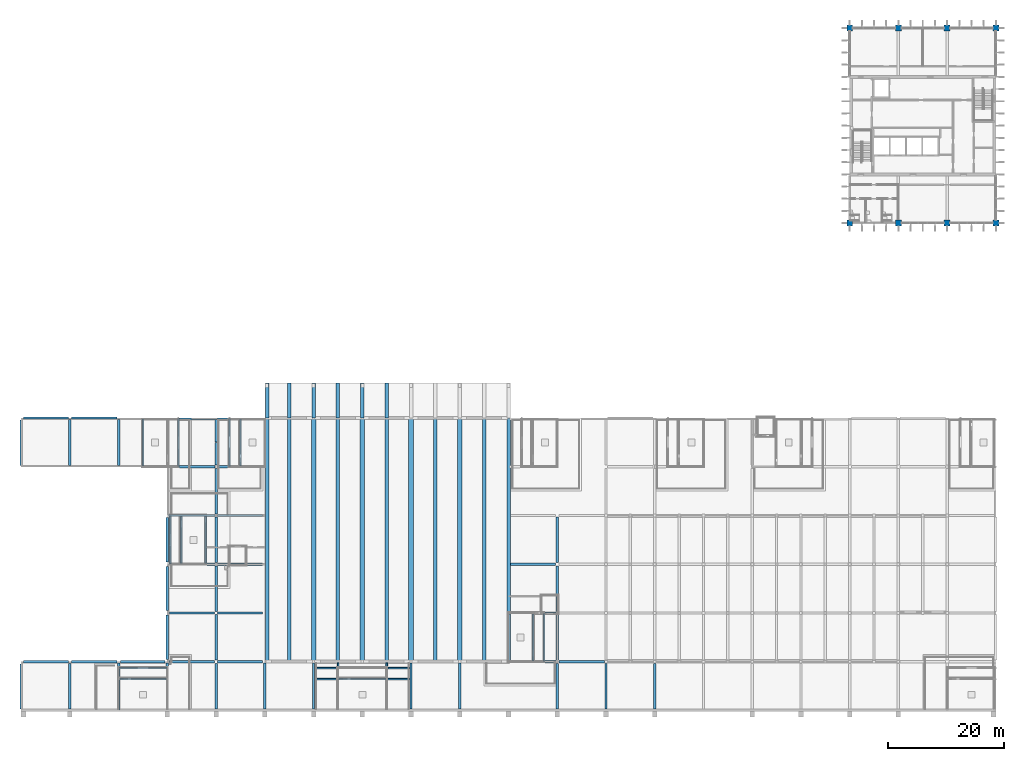
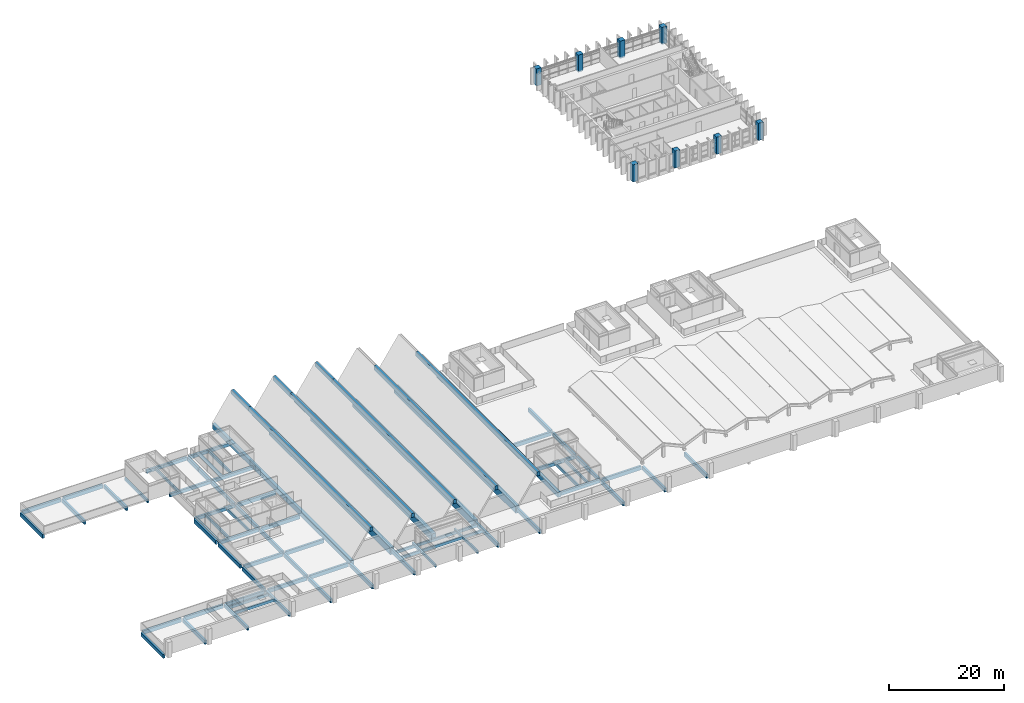
# One storey, part 1 of 24: 82 beams, 8 columns.
"""IFC4 building model written with IfcOpenShell, lengths in metres."""

from ifc_helpers import new_model, si_unit, direction, frame, origin, origin_2d, place, context, subcontext, project, spatial, rectangle, extrude, material, material_profile, profile_set, type_object, element, save


model = new_model("IFC4")

# Units and contexts
model_context = context("Model", 3, precision=1e-05, world=origin(), true_north=direction((0.0, 1.0)))
body_context = subcontext(model_context, "Body", "Model", "MODEL_VIEW")
ifc_project = project(units=[si_unit("LENGTHUNIT", "METRE"), si_unit("AREAUNIT", "SQUARE_METRE"), si_unit("VOLUMEUNIT", "CUBIC_METRE"), si_unit("PLANEANGLEUNIT", "RADIAN"), si_unit("MASSUNIT", "GRAM", prefix="KILO")], contexts=[model_context])

# Site, building, storey
site_placement = place(None, origin())
site = spatial("IfcSite", under=ifc_project, at=site_placement, CompositionType="ELEMENT")
building_placement = place(site_placement, origin())
building = spatial("IfcBuilding", under=site, at=building_placement, Name="Rulbaag Community and Learning Centre", CompositionType="ELEMENT")
storey_placement = place(building_placement, frame((0.0, 0.0, 14.39990234375)))
storey = spatial("IfcBuildingStorey", under=building, at=storey_placement, Name="L03", CompositionType="ELEMENT", Elevation=14.39990234375)

# Columns
ifc_material_1 = material(Name="Concrete M60", Category="concrete")
ifc_material_profile_1 = material_profile(ifc_material_1, rectangle(XDim=1.0, YDim=1.0, at=origin_2d()), Name="RC1000x1000")
ifc_profile_set_1 = profile_set([ifc_material_profile_1], Name="Concrete M60")
column_type = type_object("IfcColumnType", Name="C10 Column 1000x1000 Concrete M60", PredefinedType="COLUMN", material=ifc_profile_set_1)
for number, where, z_axis, x_axis, name in (
    (1, (142.800048828125, 84.0, -0.2998046875), (0.0, 0.0, 1.0), (1.0, 0.0, 0.0), "COL-18K-L03"),
    (2, (142.800048828125, 117.60009765625, -0.2998046875), (0.0, 0.0, 1.0), (1.0, 0.0, 0.0), "COL-18O-L03"),
    (3, (151.199951171875, 84.0, -0.2998046875), (0.0, 0.0, 1.0), (1.0, 0.0, 0.0), "COL-19K-L03"),
    (4, (151.199951171875, 117.60009765625, -0.2998046875), (0.0, 0.0, 1.0), (1.0, 0.0, 0.0), "COL-19O-L03"),
    (5, (159.60009765625, 84.0, -0.2998046875), (0.0, 0.0, 1.0), (1.0, 0.0, 0.0), "COL-20K-L03"),
    (6, (159.60009765625, 117.60009765625, -0.2998046875), (0.0, 0.0, 1.0), (1.0, 0.0, 0.0), "COL-20O-L03"),
    (7, (168.0, 84.0, -0.2998046875), (0.0, 0.0, 1.0), (1.0, 0.0, 0.0), "COL-21K-L03"),
    (8, (168.0, 117.60009765625, -0.2998046875), (0.0, 0.0, 1.0), (1.0, 0.0, 0.0), "COL-21O-L03"),
):
    element("IfcColumn", number, at=place(storey_placement, frame(where, z_axis=z_axis, x_axis=x_axis)), inside=storey, type_object=column_type, Name=name, PredefinedType="COLUMN", context=body_context, shape_type="SweptSolid", body=[
        extrude(rectangle(XDim=1.0, YDim=1.0, at=origin_2d()), origin(), (0.0, 0.0, 1.0), 3.64990234375),
    ])

# Beams
ifc_material_profile_2 = material_profile(ifc_material_1, rectangle(XDim=0.60009765625, YDim=1.10009765625, at=origin_2d()), Name="RB600x1100")
ifc_profile_set_2 = profile_set([ifc_material_profile_2], Name="Concrete M60")
beam_type_1 = type_object("IfcBeamType", Name="B1 Post-tensioned edge valley beam 600x1100 Concrete M60", PredefinedType="BEAM", material=ifc_profile_set_2)
for number, where, z_axis, x_axis, name in (
    (9, (42.39990234375, 8.14990234375, -0.5498046875), (0.0, 1.0, 0.0), (-1.0, 0.0, 0.0), "BM-FV-M1"),
    (10, (84.0, 8.14990234375, -0.5498046875), (0.0, 1.0, 0.0), (-1.0, 0.0, 0.0), "BM-FV-M6"),
):
    element("IfcBeam", number, at=place(storey_placement, frame(where, z_axis=z_axis, x_axis=x_axis)), inside=storey, type_object=beam_type_1, Name=name, PredefinedType="BEAM", context=body_context, shape_type="SweptSolid", body=[
        extrude(rectangle(XDim=0.60009765625, YDim=1.10009765625, at=origin_2d()), origin(), (0.0, 0.0, 1.0), 42.25),
    ])
ifc_material_2 = material(Name="Concrete M40", Category="concrete")
ifc_material_profile_3 = material_profile(ifc_material_2, rectangle(XDim=0.60009765625, YDim=0.85009765625, at=origin_2d()), Name="RB600x850")
ifc_profile_set_3 = profile_set([ifc_material_profile_3], Name="Concrete M40")
beam_type_2 = type_object("IfcBeamType", Name="B2 Ridge beam 600x850 Concrete M40", PredefinedType="BEAM", material=ifc_profile_set_3)
for number, where, z_axis, x_axis, name in (
    (11, (46.199951171875, 8.14990234375, 5.332275390625), (0.0, 1.0, 0.0), (-1.0, 0.0, 0.0), "BM-FR-M1"),
    (12, (54.60009765625, 8.14990234375, 5.332275390625), (0.0, 1.0, 0.0), (-1.0, 0.0, 0.0), "BM-FR-M2"),
    (13, (63.0, 8.14990234375, 5.332275390625), (0.0, 1.0, 0.0), (-1.0, 0.0, 0.0), "BM-FR-M3"),
    (14, (71.39990234375, 8.14990234375, 5.332275390625), (0.0, 1.0, 0.0), (-1.0, 0.0, 0.0), "BM-FR-M4"),
    (15, (79.800048828125, 8.14990234375, 5.332275390625), (0.0, 1.0, 0.0), (-1.0, 0.0, 0.0), "BM-FR-M5"),
):
    element("IfcBeam", number, at=place(storey_placement, frame(where, z_axis=z_axis, x_axis=x_axis)), inside=storey, type_object=beam_type_2, Name=name, PredefinedType="BEAM", context=body_context, shape_type="SweptSolid", body=[
        extrude(rectangle(XDim=0.60009765625, YDim=0.85009765625, at=origin_2d()), origin(), (0.0, 0.0, 1.0), 42.25),
    ])
ifc_material_profile_4 = material_profile(ifc_material_2, rectangle(XDim=0.39990234375, YDim=0.800048828125, at=origin_2d()), Name="RB400x800")
ifc_profile_set_4 = profile_set([ifc_material_profile_4], Name="Concrete M40")
beam_type_3 = type_object("IfcBeamType", Name="B27 Movement joint cantilever beam 400x800 Concrete M40", PredefinedType="BEAM", material=ifc_profile_set_4)
for number, where, z_axis, x_axis, name in (
    (16, (33.60009765625, 42.280029296875, -0.699951171875), (0.0, 1.0, 0.0), (-1.0, 0.0, 0.0), "BM-L03-5F-5G-A"),
    (17, (33.60009765625, 46.22509765625, -0.699951171875), (0.0, 1.0, 0.0), (-1.0, 0.0, 0.0), "BM-L03-5F-5G-B"),
):
    element("IfcBeam", number, at=place(storey_placement, frame(where, z_axis=z_axis, x_axis=x_axis)), inside=storey, type_object=beam_type_3, Name=name, PredefinedType="BEAM", context=body_context, shape_type="SweptSolid", body=[
        extrude(rectangle(XDim=0.39990234375, YDim=0.800048828125, at=origin_2d()), origin(), (0.0, 0.0, 1.0), 3.89501953125),
    ])
ifc_material_profile_5 = material_profile(ifc_material_1, rectangle(XDim=0.60009765625, YDim=1.10009765625, at=origin_2d()), Name="RB600x1100")
ifc_profile_set_5 = profile_set([ifc_material_profile_5], Name="Concrete M60")
beam_type_4 = type_object("IfcBeamType", Name="B3 Canopy valley cantilever beam 600x1100 Concrete M60", PredefinedType="BEAM", material=ifc_profile_set_5)
for number, where, z_axis, x_axis, name in (
    (18, (42.39990234375, 50.39990234375, -0.5498046875), (0.0, 1.0, 0.0), (-1.0, 0.0, 0.0), "BM-FV-M1-C"),
    (19, (50.39990234375, 50.39990234375, -0.5498046875), (0.0, 1.0, 0.0), (-1.0, 0.0, 0.0), "BM-FV-M2-C"),
    (20, (58.800048828125, 50.39990234375, -0.5498046875), (0.0, 1.0, 0.0), (-1.0, 0.0, 0.0), "BM-FV-M3-C"),
):
    element("IfcBeam", number, at=place(storey_placement, frame(where, z_axis=z_axis, x_axis=x_axis)), inside=storey, type_object=beam_type_4, Name=name, PredefinedType="BEAM", context=body_context, shape_type="SweptSolid", body=[
        extrude(rectangle(XDim=0.60009765625, YDim=1.10009765625, at=origin_2d()), origin(), (0.0, 0.0, 1.0), 6.0),
    ])
ifc_material_profile_6 = material_profile(ifc_material_2, rectangle(XDim=0.300048828125, YDim=0.60009765625, at=origin_2d()), Name="RB300x600")
ifc_profile_set_6 = profile_set([ifc_material_profile_6], Name="Concrete M40")
beam_type_5 = type_object("IfcBeamType", Name="B31 Trimmer beam 300x600 Concrete M40", PredefinedType="BEAM", material=ifc_profile_set_6)
beam_1_placement = place(storey_placement, frame((21.0, 42.199951171875, -0.599853515625), z_axis=(0.0, 1.0, 0.0), x_axis=(-1.0, 0.0, 0.0)))
element("IfcBeam", 21, at=beam_1_placement, inside=storey, type_object=beam_type_5, Name="BM-TR-SH0-W", PredefinedType="BEAM", context=body_context, shape_type="SweptSolid", body=[
    extrude(rectangle(XDim=0.300048828125, YDim=0.60009765625, at=origin_2d()), origin(), (0.0, 0.0, 1.0), 8.0),
])
beam_2_placement = place(storey_placement, frame((27.10009765625, 42.10009765625, -0.599853515625), z_axis=(0.0, 1.0, 0.0), x_axis=(-1.0, 0.0, 0.0)))
element("IfcBeam", 22, at=beam_2_placement, inside=storey, type_object=beam_type_5, Name="BM-LB-SH0-O", PredefinedType="BEAM", context=body_context, shape_type="SweptSolid", body=[
    extrude(rectangle(XDim=0.300048828125, YDim=0.60009765625, at=origin_2d()), origin(), (0.0, 0.0, 1.0), 8.199951171875),
])
for number, where, z_axis, x_axis, name in (
    (23, (27.60009765625, 25.39990234375, -0.599853515625), (0.0, 1.0, 0.0), (-1.0, 0.0, 0.0), "BM-TR-SH1-W"),
    (24, (31.800048828125, 25.39990234375, -0.599853515625), (0.0, 1.0, 0.0), (-1.0, 0.0, 0.0), "BM-TR-SH1-E"),
):
    element("IfcBeam", number, at=place(storey_placement, frame(where, z_axis=z_axis, x_axis=x_axis)), inside=storey, type_object=beam_type_5, Name=name, PredefinedType="BEAM", context=body_context, shape_type="SweptSolid", body=[
        extrude(rectangle(XDim=0.300048828125, YDim=0.60009765625, at=origin_2d()), origin(), (0.0, 0.0, 1.0), 8.0),
    ])
beam_3_placement = place(storey_placement, frame((25.699951171875, 25.300048828125, -0.599853515625), z_axis=(0.0, 1.0, 0.0), x_axis=(-1.0, 0.0, 0.0)))
element("IfcBeam", 25, at=beam_3_placement, inside=storey, type_object=beam_type_5, Name="BM-LB-SH1-O", PredefinedType="BEAM", context=body_context, shape_type="SweptSolid", body=[
    extrude(rectangle(XDim=0.300048828125, YDim=0.60009765625, at=origin_2d()), origin(), (0.0, 0.0, 1.0), 8.199951171875),
])
beam_4_placement = place(storey_placement, frame((88.199951171875, 8.60009765625, -0.599853515625), z_axis=(0.0, 1.0, 0.0), x_axis=(-1.0, 0.0, 0.0)))
element("IfcBeam", 26, at=beam_4_placement, inside=storey, type_object=beam_type_5, Name="BM-TR-SH2-E", PredefinedType="BEAM", context=body_context, shape_type="SweptSolid", body=[
    extrude(rectangle(XDim=0.300048828125, YDim=0.60009765625, at=origin_2d()), origin(), (0.0, 0.0, 1.0), 8.0),
])
beam_5_placement = place(storey_placement, frame((90.10009765625, 8.5, -0.599853515625), z_axis=(0.0, 1.0, 0.0), x_axis=(-1.0, 0.0, 0.0)))
element("IfcBeam", 27, at=beam_5_placement, inside=storey, type_object=beam_type_5, Name="BM-LB-SH2-O", PredefinedType="BEAM", context=body_context, shape_type="SweptSolid", body=[
    extrude(rectangle(XDim=0.300048828125, YDim=0.60009765625, at=origin_2d()), origin(), (0.0, 0.0, 1.0), 8.199951171875),
])
beam_6_placement = place(storey_placement, frame((37.800048828125, 42.199951171875, -0.599853515625), z_axis=(0.0, 1.0, 0.0), x_axis=(-1.0, 0.0, 0.0)))
element("IfcBeam", 28, at=beam_6_placement, inside=storey, type_object=beam_type_5, Name="BM-TR-SH5-W", PredefinedType="BEAM", context=body_context, shape_type="SweptSolid", body=[
    extrude(rectangle(XDim=0.300048828125, YDim=0.60009765625, at=origin_2d()), origin(), (0.0, 0.0, 1.0), 8.0),
])
beam_7_placement = place(storey_placement, frame((35.89990234375, 42.10009765625, -0.599853515625), z_axis=(0.0, 1.0, 0.0), x_axis=(-1.0, 0.0, 0.0)))
element("IfcBeam", 29, at=beam_7_placement, inside=storey, type_object=beam_type_5, Name="BM-LB-SH5-O", PredefinedType="BEAM", context=body_context, shape_type="SweptSolid", body=[
    extrude(rectangle(XDim=0.300048828125, YDim=0.60009765625, at=origin_2d()), origin(), (0.0, 0.0, 1.0), 8.199951171875),
])
for number, where, z_axis, x_axis, name in (
    (30, (54.60009765625, 0.199951171875, -0.599853515625), (0.0, 1.0, 0.0), (-1.0, 0.0, 0.0), "BM-TR-SH8-W"),
    (31, (63.0, 0.199951171875, -0.599853515625), (0.0, 1.0, 0.0), (-1.0, 0.0, 0.0), "BM-TR-SH8-E"),
):
    element("IfcBeam", number, at=place(storey_placement, frame(where, z_axis=z_axis, x_axis=x_axis)), inside=storey, type_object=beam_type_5, Name=name, PredefinedType="BEAM", context=body_context, shape_type="SweptSolid", body=[
        extrude(rectangle(XDim=0.300048828125, YDim=0.60009765625, at=origin_2d()), origin(), (0.0, 0.0, 1.0), 8.0),
    ])
beam_8_placement = place(storey_placement, frame((50.60009765625, 5.39990234375, -0.599853515625), z_axis=(1.0, 0.0, 0.0), x_axis=(0.0, 1.0, 0.0)))
element("IfcBeam", 32, at=beam_8_placement, inside=storey, type_object=beam_type_5, Name="BM-TR-SH8-N1", PredefinedType="BEAM", context=body_context, shape_type="SweptSolid", body=[
    extrude(rectangle(XDim=0.300048828125, YDim=0.60009765625, at=origin_2d()), origin(), (0.0, 0.0, 1.0), 3.849853515625),
])
beam_9_placement = place(storey_placement, frame((54.75, 5.39990234375, -0.599853515625), z_axis=(1.0, 0.0, 0.0), x_axis=(0.0, 1.0, 0.0)))
element("IfcBeam", 33, at=beam_9_placement, inside=storey, type_object=beam_type_5, Name="BM-TR-SH8-N2", PredefinedType="BEAM", context=body_context, shape_type="SweptSolid", body=[
    extrude(rectangle(XDim=0.300048828125, YDim=0.60009765625, at=origin_2d()), origin(), (0.0, 0.0, 1.0), 8.10009765625),
])
beam_10_placement = place(storey_placement, frame((63.14990234375, 5.39990234375, -0.599853515625), z_axis=(1.0, 0.0, 0.0), x_axis=(0.0, 1.0, 0.0)))
element("IfcBeam", 34, at=beam_10_placement, inside=storey, type_object=beam_type_5, Name="BM-TR-SH8-N3", PredefinedType="BEAM", context=body_context, shape_type="SweptSolid", body=[
    extrude(rectangle(XDim=0.300048828125, YDim=0.60009765625, at=origin_2d()), origin(), (0.0, 0.0, 1.0), 3.85009765625),
])
beam_11_placement = place(storey_placement, frame((50.5, 7.300048828125, -0.599853515625), z_axis=(1.0, 0.0, 0.0), x_axis=(0.0, 1.0, 0.0)))
element("IfcBeam", 35, at=beam_11_placement, inside=storey, type_object=beam_type_5, Name="BM-LB-SH8-O", PredefinedType="BEAM", context=body_context, shape_type="SweptSolid", body=[
    extrude(rectangle(XDim=0.300048828125, YDim=0.60009765625, at=origin_2d()), origin(), (0.0, 0.0, 1.0), 16.60009765625),
])
beam_12_placement = place(storey_placement, frame((17.0, 5.39990234375, -0.599853515625), z_axis=(1.0, 0.0, 0.0), x_axis=(0.0, 1.0, 0.0)))
element("IfcBeam", 36, at=beam_12_placement, inside=storey, type_object=beam_type_5, Name="BM-TR-SH9-N1", PredefinedType="BEAM", context=body_context, shape_type="SweptSolid", body=[
    extrude(rectangle(XDim=0.300048828125, YDim=0.60009765625, at=origin_2d()), origin(), (0.0, 0.0, 1.0), 8.0),
])
beam_13_placement = place(storey_placement, frame((16.89990234375, 7.300048828125, -0.599853515625), z_axis=(1.0, 0.0, 0.0), x_axis=(0.0, 1.0, 0.0)))
element("IfcBeam", 37, at=beam_13_placement, inside=storey, type_object=beam_type_5, Name="BM-LB-SH9-O", PredefinedType="BEAM", context=body_context, shape_type="SweptSolid", body=[
    extrude(rectangle(XDim=0.300048828125, YDim=0.60009765625, at=origin_2d()), origin(), (0.0, 0.0, 1.0), 8.2001953125),
])
ifc_material_profile_7 = material_profile(ifc_material_1, rectangle(XDim=0.800048828125, YDim=1.5, at=origin_2d()), Name="RB800x1500")
ifc_profile_set_7 = profile_set([ifc_material_profile_7], Name="Concrete M60")
beam_type_6 = type_object("IfcBeamType", Name="B32 Post-tensioned valley beam 800x1500 Concrete M60", PredefinedType="BEAM", material=ifc_profile_set_7)
for number, where, z_axis, x_axis, name in (
    (38, (50.39990234375, 8.14990234375, -0.75), (0.0, 1.0, 0.0), (-1.0, 0.0, 0.0), "BM-FV-M2"),
    (39, (58.800048828125, 8.14990234375, -0.75), (0.0, 1.0, 0.0), (-1.0, 0.0, 0.0), "BM-FV-M3"),
    (40, (67.199951171875, 8.14990234375, -0.75), (0.0, 1.0, 0.0), (-1.0, 0.0, 0.0), "BM-FV-M4"),
    (41, (75.60009765625, 8.14990234375, -0.75), (0.0, 1.0, 0.0), (-1.0, 0.0, 0.0), "BM-FV-M5"),
):
    element("IfcBeam", number, at=place(storey_placement, frame(where, z_axis=z_axis, x_axis=x_axis)), inside=storey, type_object=beam_type_6, Name=name, PredefinedType="BEAM", context=body_context, shape_type="SweptSolid", body=[
        extrude(rectangle(XDim=0.800048828125, YDim=1.5, at=origin_2d()), origin(), (0.0, 0.0, 1.0), 42.25),
    ])
ifc_material_profile_8 = material_profile(ifc_material_2, rectangle(XDim=0.39990234375, YDim=0.699951171875, at=origin_2d()), Name="RB400x700")
ifc_profile_set_8 = profile_set([ifc_material_profile_8], Name="Concrete M40")
beam_type_7 = type_object("IfcBeamType", Name="B34 Lobby girder 400x700 Concrete M40", PredefinedType="BEAM", material=ifc_profile_set_8)
beam_14_placement = place(storey_placement, frame((25.199951171875, 42.0, -0.599853515625), z_axis=(1.0, 0.0, 0.0), x_axis=(0.0, 1.0, 0.0)))
element("IfcBeam", 42, at=beam_14_placement, inside=storey, type_object=beam_type_7, Name="BM-LBG-SH0-420", PredefinedType="BEAM", context=body_context, shape_type="SweptSolid", body=[
    extrude(rectangle(XDim=0.39990234375, YDim=0.699951171875, at=origin_2d()), origin(), (0.0, 0.0, 1.0), 8.199951171875),
])
beam_15_placement = place(storey_placement, frame((25.25, 50.22509765625, -0.599853515625), z_axis=(1.0, 0.0, 0.0), x_axis=(0.0, 1.0, 0.0)))
element("IfcBeam", 43, at=beam_15_placement, inside=storey, type_object=beam_type_7, Name="BM-LBG-SH0-504", PredefinedType="BEAM", context=body_context, shape_type="SweptSolid", body=[
    extrude(rectangle(XDim=0.39990234375, YDim=0.699951171875, at=origin_2d()), origin(), (0.0, 0.0, 1.0), 8.14990234375),
])
for number, where, z_axis, x_axis, name in (
    (44, (25.39990234375, 25.199951171875, -0.599853515625), (1.0, 0.0, 0.0), (0.0, 1.0, 0.0), "BM-LBG-SH1-252"),
    (45, (25.39990234375, 33.60009765625, -0.599853515625), (1.0, 0.0, 0.0), (0.0, 1.0, 0.0), "BM-LBG-SH1-336"),
):
    element("IfcBeam", number, at=place(storey_placement, frame(where, z_axis=z_axis, x_axis=x_axis)), inside=storey, type_object=beam_type_7, Name=name, PredefinedType="BEAM", context=body_context, shape_type="SweptSolid", body=[
        extrude(rectangle(XDim=0.39990234375, YDim=0.699951171875, at=origin_2d()), origin(), (0.0, 0.0, 1.0), 8.0),
    ])
beam_16_placement = place(storey_placement, frame((84.0, 8.39990234375, -0.599853515625), z_axis=(1.0, 0.0, 0.0), x_axis=(0.0, 1.0, 0.0)))
element("IfcBeam", 46, at=beam_16_placement, inside=storey, type_object=beam_type_7, Name="BM-LBG-SH2-84", PredefinedType="BEAM", context=body_context, shape_type="SweptSolid", body=[
    extrude(rectangle(XDim=0.39990234375, YDim=0.699951171875, at=origin_2d()), origin(), (0.0, 0.0, 1.0), 8.199951171875),
])
for number, where, z_axis, x_axis, name in (
    (47, (84.050048828125, 16.800048828125, -0.599853515625), (1.0, 0.0, 0.0), (0.0, 1.0, 0.0), "BM-LBG-SH2-168"),
    (48, (33.800048828125, 42.0, -0.599853515625), (1.0, 0.0, 0.0), (0.0, 1.0, 0.0), "BM-LBG-SH5-420"),
):
    element("IfcBeam", number, at=place(storey_placement, frame(where, z_axis=z_axis, x_axis=x_axis)), inside=storey, type_object=beam_type_7, Name=name, PredefinedType="BEAM", context=body_context, shape_type="SweptSolid", body=[
        extrude(rectangle(XDim=0.39990234375, YDim=0.699951171875, at=origin_2d()), origin(), (0.0, 0.0, 1.0), 8.14990234375),
    ])
beam_17_placement = place(storey_placement, frame((33.800048828125, 50.22509765625, -0.599853515625), z_axis=(1.0, 0.0, 0.0), x_axis=(0.0, 1.0, 0.0)))
element("IfcBeam", 49, at=beam_17_placement, inside=storey, type_object=beam_type_7, Name="BM-LBG-SH5-504", PredefinedType="BEAM", context=body_context, shape_type="SweptSolid", body=[
    extrude(rectangle(XDim=0.39990234375, YDim=0.699951171875, at=origin_2d()), origin(), (0.0, 0.0, 1.0), 8.199951171875),
])
for number, where, z_axis, x_axis, name in (
    (50, (16.800048828125, 0.050048828125, -0.599853515625), (0.0, 1.0, 0.0), (-1.0, 0.0, 0.0), "BM-LBG-SH9-168"),
    (51, (25.199951171875, 0.050048828125, -0.599853515625), (0.0, 1.0, 0.0), (-1.0, 0.0, 0.0), "BM-LBG-SH9-252"),
):
    element("IfcBeam", number, at=place(storey_placement, frame(where, z_axis=z_axis, x_axis=x_axis)), inside=storey, type_object=beam_type_7, Name=name, PredefinedType="BEAM", context=body_context, shape_type="SweptSolid", body=[
        extrude(rectangle(XDim=0.39990234375, YDim=0.699951171875, at=origin_2d()), origin(), (0.0, 0.0, 1.0), 8.14990234375),
    ])
ifc_material_profile_9 = material_profile(ifc_material_2, rectangle(XDim=0.60009765625, YDim=0.85009765625, at=origin_2d()), Name="RB600x850")
ifc_profile_set_9 = profile_set([ifc_material_profile_9], Name="Concrete M40")
beam_type_8 = type_object("IfcBeamType", Name="B4 Canopy ridge cantilever beam 600x850 Concrete M40", PredefinedType="BEAM", material=ifc_profile_set_9)
for number, where, z_axis, x_axis, name in (
    (52, (46.199951171875, 50.39990234375, 5.332275390625), (0.0, 1.0, 0.0), (-1.0, 0.0, 0.0), "BM-FR-M1-C"),
    (53, (54.60009765625, 50.39990234375, 5.332275390625), (0.0, 1.0, 0.0), (-1.0, 0.0, 0.0), "BM-FR-M2-C"),
    (54, (63.0, 50.39990234375, 5.332275390625), (0.0, 1.0, 0.0), (-1.0, 0.0, 0.0), "BM-FR-M3-C"),
):
    element("IfcBeam", number, at=place(storey_placement, frame(where, z_axis=z_axis, x_axis=x_axis)), inside=storey, type_object=beam_type_8, Name=name, PredefinedType="BEAM", context=body_context, shape_type="SweptSolid", body=[
        extrude(rectangle(XDim=0.60009765625, YDim=0.85009765625, at=origin_2d()), origin(), (0.0, 0.0, 1.0), 6.0),
    ])
ifc_material_profile_10 = material_profile(ifc_material_2, rectangle(XDim=0.39990234375, YDim=0.800048828125, at=origin_2d()), Name="RB400x800")
ifc_profile_set_10 = profile_set([ifc_material_profile_10], Name="Concrete M40")
beam_type_9 = type_object("IfcBeamType", Name="B9 Terrace beam 400x800 Concrete M40", PredefinedType="BEAM", material=ifc_profile_set_10)
beam_18_placement = place(storey_placement, frame((0.0, 0.22509765625, -0.699951171875), z_axis=(0.0, 1.0, 0.0), x_axis=(-1.0, 0.0, 0.0)))
element("IfcBeam", 55, at=beam_18_placement, inside=storey, type_object=beam_type_9, Name="BM-L03-1A-1B", PredefinedType="BEAM", context=body_context, shape_type="SweptSolid", body=[
    extrude(rectangle(XDim=0.39990234375, YDim=0.800048828125, at=origin_2d()), origin(), (0.0, 0.0, 1.0), 7.794921875),
])
beam_19_placement = place(storey_placement, frame((0.3798828125, 8.39990234375, -0.699951171875), z_axis=(1.0, 0.0, 0.0), x_axis=(0.0, 1.0, 0.0)))
element("IfcBeam", 56, at=beam_19_placement, inside=storey, type_object=beam_type_9, Name="BM-L03-1B-2B", PredefinedType="BEAM", context=body_context, shape_type="SweptSolid", body=[
    extrude(rectangle(XDim=0.39990234375, YDim=0.800048828125, at=origin_2d()), origin(), (0.0, 0.0, 1.0), 7.740234375),
])
beam_20_placement = place(storey_placement, frame((0.0, 42.25, -0.699951171875), z_axis=(0.0, 1.0, 0.0), x_axis=(-1.0, 0.0, 0.0)))
element("IfcBeam", 57, at=beam_20_placement, inside=storey, type_object=beam_type_9, Name="BM-L03-1F-1G", PredefinedType="BEAM", context=body_context, shape_type="SweptSolid", body=[
    extrude(rectangle(XDim=0.39990234375, YDim=0.800048828125, at=origin_2d()), origin(), (0.0, 0.0, 1.0), 7.77001953125),
])
beam_21_placement = place(storey_placement, frame((0.3798828125, 50.39990234375, -0.699951171875), z_axis=(1.0, 0.0, 0.0), x_axis=(0.0, 1.0, 0.0)))
element("IfcBeam", 58, at=beam_21_placement, inside=storey, type_object=beam_type_9, Name="BM-L03-1G-2G", PredefinedType="BEAM", context=body_context, shape_type="SweptSolid", body=[
    extrude(rectangle(XDim=0.39990234375, YDim=0.800048828125, at=origin_2d()), origin(), (0.0, 0.0, 1.0), 7.740234375),
])
beam_22_placement = place(storey_placement, frame((8.39990234375, 0.22509765625, -0.699951171875), z_axis=(0.0, 1.0, 0.0), x_axis=(-1.0, 0.0, 0.0)))
element("IfcBeam", 59, at=beam_22_placement, inside=storey, type_object=beam_type_9, Name="BM-L03-2A-2B", PredefinedType="BEAM", context=body_context, shape_type="SweptSolid", body=[
    extrude(rectangle(XDim=0.39990234375, YDim=0.800048828125, at=origin_2d()), origin(), (0.0, 0.0, 1.0), 7.89501953125),
])
beam_23_placement = place(storey_placement, frame((8.679931640625, 8.39990234375, -0.699951171875), z_axis=(1.0, 0.0, 0.0), x_axis=(0.0, 1.0, 0.0)))
element("IfcBeam", 60, at=beam_23_placement, inside=storey, type_object=beam_type_9, Name="BM-L03-2B-3B", PredefinedType="BEAM", context=body_context, shape_type="SweptSolid", body=[
    extrude(rectangle(XDim=0.39990234375, YDim=0.800048828125, at=origin_2d()), origin(), (0.0, 0.0, 1.0), 7.840087890625),
])
beam_24_placement = place(storey_placement, frame((8.39990234375, 42.25, -0.699951171875), z_axis=(0.0, 1.0, 0.0), x_axis=(-1.0, 0.0, 0.0)))
element("IfcBeam", 61, at=beam_24_placement, inside=storey, type_object=beam_type_9, Name="BM-L03-2F-2G", PredefinedType="BEAM", context=body_context, shape_type="SweptSolid", body=[
    extrude(rectangle(XDim=0.39990234375, YDim=0.800048828125, at=origin_2d()), origin(), (0.0, 0.0, 1.0), 7.8701171875),
])
beam_25_placement = place(storey_placement, frame((8.679931640625, 50.39990234375, -0.699951171875), z_axis=(1.0, 0.0, 0.0), x_axis=(0.0, 1.0, 0.0)))
element("IfcBeam", 62, at=beam_25_placement, inside=storey, type_object=beam_type_9, Name="BM-L03-2G-3G", PredefinedType="BEAM", context=body_context, shape_type="SweptSolid", body=[
    extrude(rectangle(XDim=0.39990234375, YDim=0.800048828125, at=origin_2d()), origin(), (0.0, 0.0, 1.0), 7.840087890625),
])
beam_26_placement = place(storey_placement, frame((17.080078125, 8.39990234375, -0.699951171875), z_axis=(1.0, 0.0, 0.0), x_axis=(0.0, 1.0, 0.0)))
element("IfcBeam", 63, at=beam_26_placement, inside=storey, type_object=beam_type_9, Name="BM-L03-3B-4B", PredefinedType="BEAM", context=body_context, shape_type="SweptSolid", body=[
    extrude(rectangle(XDim=0.39990234375, YDim=0.800048828125, at=origin_2d()), origin(), (0.0, 0.0, 1.0), 7.739990234375),
])
beam_27_placement = place(storey_placement, frame((16.800048828125, 42.25, -0.699951171875), z_axis=(0.0, 1.0, 0.0), x_axis=(-1.0, 0.0, 0.0)))
element("IfcBeam", 64, at=beam_27_placement, inside=storey, type_object=beam_type_9, Name="BM-L03-3F-3G", PredefinedType="BEAM", context=body_context, shape_type="SweptSolid", body=[
    extrude(rectangle(XDim=0.39990234375, YDim=0.800048828125, at=origin_2d()), origin(), (0.0, 0.0, 1.0), 7.8701171875),
])
beam_28_placement = place(storey_placement, frame((25.580078125, 8.39990234375, -0.699951171875), z_axis=(1.0, 0.0, 0.0), x_axis=(0.0, 1.0, 0.0)))
element("IfcBeam", 65, at=beam_28_placement, inside=storey, type_object=beam_type_9, Name="BM-L03-4B-5B", PredefinedType="BEAM", context=body_context, shape_type="SweptSolid", body=[
    extrude(rectangle(XDim=0.39990234375, YDim=0.800048828125, at=origin_2d()), origin(), (0.0, 0.0, 1.0), 7.739990234375),
])
beam_29_placement = place(storey_placement, frame((25.199951171875, 8.780029296875, -0.699951171875), z_axis=(0.0, 1.0, 0.0), x_axis=(-1.0, 0.0, 0.0)))
element("IfcBeam", 66, at=beam_29_placement, inside=storey, type_object=beam_type_9, Name="BM-L03-4B-4C", PredefinedType="BEAM", context=body_context, shape_type="SweptSolid", body=[
    extrude(rectangle(XDim=0.39990234375, YDim=0.800048828125, at=origin_2d()), origin(), (0.0, 0.0, 1.0), 7.639892578125),
])
beam_30_placement = place(storey_placement, frame((25.580078125, 16.800048828125, -0.699951171875), z_axis=(1.0, 0.0, 0.0), x_axis=(0.0, 1.0, 0.0)))
element("IfcBeam", 67, at=beam_30_placement, inside=storey, type_object=beam_type_9, Name="BM-L03-4C-5C", PredefinedType="BEAM", context=body_context, shape_type="SweptSolid", body=[
    extrude(rectangle(XDim=0.39990234375, YDim=0.800048828125, at=origin_2d()), origin(), (0.0, 0.0, 1.0), 7.739990234375),
])
beam_31_placement = place(storey_placement, frame((25.199951171875, 17.179931640625, -0.699951171875), z_axis=(0.0, 1.0, 0.0), x_axis=(-1.0, 0.0, 0.0)))
element("IfcBeam", 68, at=beam_31_placement, inside=storey, type_object=beam_type_9, Name="BM-L03-4C-4D", PredefinedType="BEAM", context=body_context, shape_type="SweptSolid", body=[
    extrude(rectangle(XDim=0.39990234375, YDim=0.800048828125, at=origin_2d()), origin(), (0.0, 0.0, 1.0), 7.64013671875),
])
beam_32_placement = place(storey_placement, frame((25.199951171875, 25.580078125, -0.699951171875), z_axis=(0.0, 1.0, 0.0), x_axis=(-1.0, 0.0, 0.0)))
element("IfcBeam", 69, at=beam_32_placement, inside=storey, type_object=beam_type_9, Name="BM-L03-4D-4E", PredefinedType="BEAM", context=body_context, shape_type="SweptSolid", body=[
    extrude(rectangle(XDim=0.39990234375, YDim=0.800048828125, at=origin_2d()), origin(), (0.0, 0.0, 1.0), 7.639892578125),
])
beam_33_placement = place(storey_placement, frame((33.60009765625, 0.22509765625, -0.699951171875), z_axis=(0.0, 1.0, 0.0), x_axis=(-1.0, 0.0, 0.0)))
element("IfcBeam", 70, at=beam_33_placement, inside=storey, type_object=beam_type_9, Name="BM-L03-5A-5B", PredefinedType="BEAM", context=body_context, shape_type="SweptSolid", body=[
    extrude(rectangle(XDim=0.39990234375, YDim=0.800048828125, at=origin_2d()), origin(), (0.0, 0.0, 1.0), 7.89501953125),
])
beam_34_placement = place(storey_placement, frame((33.8798828125, 8.39990234375, -0.699951171875), z_axis=(1.0, 0.0, 0.0), x_axis=(0.0, 1.0, 0.0)))
element("IfcBeam", 71, at=beam_34_placement, inside=storey, type_object=beam_type_9, Name="BM-L03-5B-6B", PredefinedType="BEAM", context=body_context, shape_type="SweptSolid", body=[
    extrude(rectangle(XDim=0.39990234375, YDim=0.800048828125, at=origin_2d()), origin(), (0.0, 0.0, 1.0), 7.740234375),
])
beam_35_placement = place(storey_placement, frame((33.60009765625, 8.679931640625, -0.699951171875), z_axis=(0.0, 1.0, 0.0), x_axis=(-1.0, 0.0, 0.0)))
element("IfcBeam", 72, at=beam_35_placement, inside=storey, type_object=beam_type_9, Name="BM-L03-5B-5C", PredefinedType="BEAM", context=body_context, shape_type="SweptSolid", body=[
    extrude(rectangle(XDim=0.39990234375, YDim=0.800048828125, at=origin_2d()), origin(), (0.0, 0.0, 1.0), 7.840087890625),
])
beam_36_placement = place(storey_placement, frame((33.8798828125, 16.800048828125, -0.699951171875), z_axis=(1.0, 0.0, 0.0), x_axis=(0.0, 1.0, 0.0)))
element("IfcBeam", 73, at=beam_36_placement, inside=storey, type_object=beam_type_9, Name="BM-L03-5C-6C", PredefinedType="BEAM", context=body_context, shape_type="SweptSolid", body=[
    extrude(rectangle(XDim=0.39990234375, YDim=0.800048828125, at=origin_2d()), origin(), (0.0, 0.0, 1.0), 7.740234375),
])
beam_37_placement = place(storey_placement, frame((33.60009765625, 17.080078125, -0.699951171875), z_axis=(0.0, 1.0, 0.0), x_axis=(-1.0, 0.0, 0.0)))
element("IfcBeam", 74, at=beam_37_placement, inside=storey, type_object=beam_type_9, Name="BM-L03-5C-5D", PredefinedType="BEAM", context=body_context, shape_type="SweptSolid", body=[
    extrude(rectangle(XDim=0.39990234375, YDim=0.800048828125, at=origin_2d()), origin(), (0.0, 0.0, 1.0), 7.83984375),
])
beam_38_placement = place(storey_placement, frame((33.8798828125, 25.199951171875, -0.699951171875), z_axis=(1.0, 0.0, 0.0), x_axis=(0.0, 1.0, 0.0)))
element("IfcBeam", 75, at=beam_38_placement, inside=storey, type_object=beam_type_9, Name="BM-L03-5D-6D", PredefinedType="BEAM", context=body_context, shape_type="SweptSolid", body=[
    extrude(rectangle(XDim=0.39990234375, YDim=0.800048828125, at=origin_2d()), origin(), (0.0, 0.0, 1.0), 7.740234375),
])
beam_39_placement = place(storey_placement, frame((33.60009765625, 25.47998046875, -0.699951171875), z_axis=(0.0, 1.0, 0.0), x_axis=(-1.0, 0.0, 0.0)))
element("IfcBeam", 76, at=beam_39_placement, inside=storey, type_object=beam_type_9, Name="BM-L03-5D-5E", PredefinedType="BEAM", context=body_context, shape_type="SweptSolid", body=[
    extrude(rectangle(XDim=0.39990234375, YDim=0.800048828125, at=origin_2d()), origin(), (0.0, 0.0, 1.0), 7.840087890625),
])
beam_40_placement = place(storey_placement, frame((33.8798828125, 33.60009765625, -0.699951171875), z_axis=(1.0, 0.0, 0.0), x_axis=(0.0, 1.0, 0.0)))
element("IfcBeam", 77, at=beam_40_placement, inside=storey, type_object=beam_type_9, Name="BM-L03-5E-6E", PredefinedType="BEAM", context=body_context, shape_type="SweptSolid", body=[
    extrude(rectangle(XDim=0.39990234375, YDim=0.800048828125, at=origin_2d()), origin(), (0.0, 0.0, 1.0), 7.740234375),
])
beam_41_placement = place(storey_placement, frame((33.60009765625, 33.8798828125, -0.699951171875), z_axis=(0.0, 1.0, 0.0), x_axis=(-1.0, 0.0, 0.0)))
element("IfcBeam", 78, at=beam_41_placement, inside=storey, type_object=beam_type_9, Name="BM-L03-5E-5F", PredefinedType="BEAM", context=body_context, shape_type="SweptSolid", body=[
    extrude(rectangle(XDim=0.39990234375, YDim=0.800048828125, at=origin_2d()), origin(), (0.0, 0.0, 1.0), 7.840087890625),
])
for number, where, z_axis, x_axis, name in (
    (79, (42.0, 0.22509765625, -0.699951171875), (0.0, 1.0, 0.0), (-1.0, 0.0, 0.0), "BM-L03-6A-6B"),
    (80, (50.39990234375, 0.22509765625, -0.699951171875), (0.0, 1.0, 0.0), (-1.0, 0.0, 0.0), "BM-L03-7A-7B"),
    (81, (67.199951171875, 0.22509765625, -0.699951171875), (0.0, 1.0, 0.0), (-1.0, 0.0, 0.0), "BM-L03-9A-9B"),
    (82, (75.60009765625, 0.22509765625, -0.699951171875), (0.0, 1.0, 0.0), (-1.0, 0.0, 0.0), "BM-L03-10A-10B"),
):
    element("IfcBeam", number, at=place(storey_placement, frame(where, z_axis=z_axis, x_axis=x_axis)), inside=storey, type_object=beam_type_9, Name=name, PredefinedType="BEAM", context=body_context, shape_type="SweptSolid", body=[
        extrude(rectangle(XDim=0.39990234375, YDim=0.800048828125, at=origin_2d()), origin(), (0.0, 0.0, 1.0), 7.9248046875),
    ])
beam_42_placement = place(storey_placement, frame((84.3798828125, 25.199951171875, -0.699951171875), z_axis=(1.0, 0.0, 0.0), x_axis=(0.0, 1.0, 0.0)))
element("IfcBeam", 83, at=beam_42_placement, inside=storey, type_object=beam_type_9, Name="BM-L03-11D-12D", PredefinedType="BEAM", context=body_context, shape_type="SweptSolid", body=[
    extrude(rectangle(XDim=0.39990234375, YDim=0.800048828125, at=origin_2d()), origin(), (0.0, 0.0, 1.0), 7.740234375),
])
beam_43_placement = place(storey_placement, frame((92.39990234375, 0.22509765625, -0.699951171875), z_axis=(0.0, 1.0, 0.0), x_axis=(-1.0, 0.0, 0.0)))
element("IfcBeam", 84, at=beam_43_placement, inside=storey, type_object=beam_type_9, Name="BM-L03-12A-12B", PredefinedType="BEAM", context=body_context, shape_type="SweptSolid", body=[
    extrude(rectangle(XDim=0.39990234375, YDim=0.800048828125, at=origin_2d()), origin(), (0.0, 0.0, 1.0), 7.89501953125),
])
for number, where, z_axis, x_axis, name in (
    (85, (92.679931640625, 8.39990234375, -0.699951171875), (1.0, 0.0, 0.0), (0.0, 1.0, 0.0), "BM-L03-12B-13B"),
    (86, (92.39990234375, 8.679931640625, -0.699951171875), (0.0, 1.0, 0.0), (-1.0, 0.0, 0.0), "BM-L03-12B-12C"),
):
    element("IfcBeam", number, at=place(storey_placement, frame(where, z_axis=z_axis, x_axis=x_axis)), inside=storey, type_object=beam_type_9, Name=name, PredefinedType="BEAM", context=body_context, shape_type="SweptSolid", body=[
        extrude(rectangle(XDim=0.39990234375, YDim=0.800048828125, at=origin_2d()), origin(), (0.0, 0.0, 1.0), 7.840087890625),
    ])
beam_44_placement = place(storey_placement, frame((92.39990234375, 17.080078125, -0.699951171875), z_axis=(0.0, 1.0, 0.0), x_axis=(-1.0, 0.0, 0.0)))
element("IfcBeam", 87, at=beam_44_placement, inside=storey, type_object=beam_type_9, Name="BM-L03-12C-12D", PredefinedType="BEAM", context=body_context, shape_type="SweptSolid", body=[
    extrude(rectangle(XDim=0.39990234375, YDim=0.800048828125, at=origin_2d()), origin(), (0.0, 0.0, 1.0), 7.83984375),
])
beam_45_placement = place(storey_placement, frame((92.39990234375, 25.47998046875, -0.699951171875), z_axis=(0.0, 1.0, 0.0), x_axis=(-1.0, 0.0, 0.0)))
element("IfcBeam", 88, at=beam_45_placement, inside=storey, type_object=beam_type_9, Name="BM-L03-12D-12E", PredefinedType="BEAM", context=body_context, shape_type="SweptSolid", body=[
    extrude(rectangle(XDim=0.39990234375, YDim=0.800048828125, at=origin_2d()), origin(), (0.0, 0.0, 1.0), 7.840087890625),
])
for number, where, z_axis, x_axis, name in (
    (89, (100.800048828125, 0.22509765625, -0.699951171875), (0.0, 1.0, 0.0), (-1.0, 0.0, 0.0), "BM-L03-13A-13B"),
    (90, (109.199951171875, 0.22509765625, -0.699951171875), (0.0, 1.0, 0.0), (-1.0, 0.0, 0.0), "BM-L03-14A-14B"),
):
    element("IfcBeam", number, at=place(storey_placement, frame(where, z_axis=z_axis, x_axis=x_axis)), inside=storey, type_object=beam_type_9, Name=name, PredefinedType="BEAM", context=body_context, shape_type="SweptSolid", body=[
        extrude(rectangle(XDim=0.39990234375, YDim=0.800048828125, at=origin_2d()), origin(), (0.0, 0.0, 1.0), 7.89501953125),
    ])

save(model, "model.ifc")
